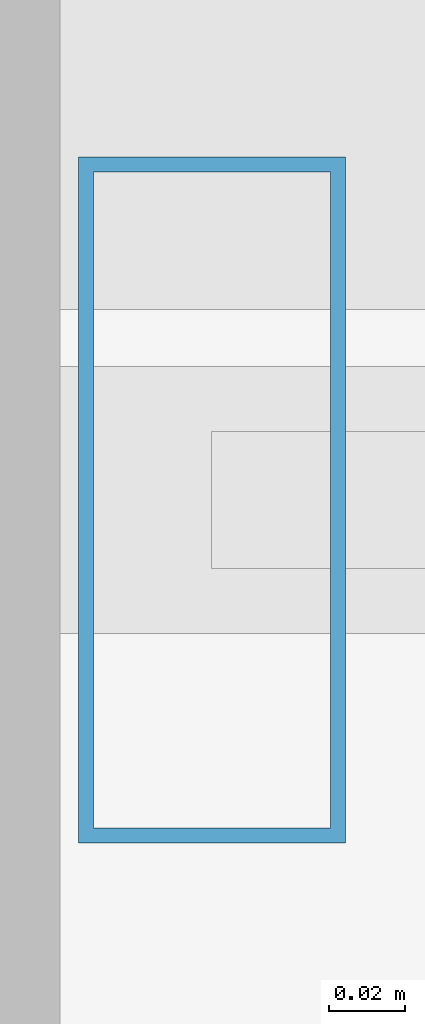
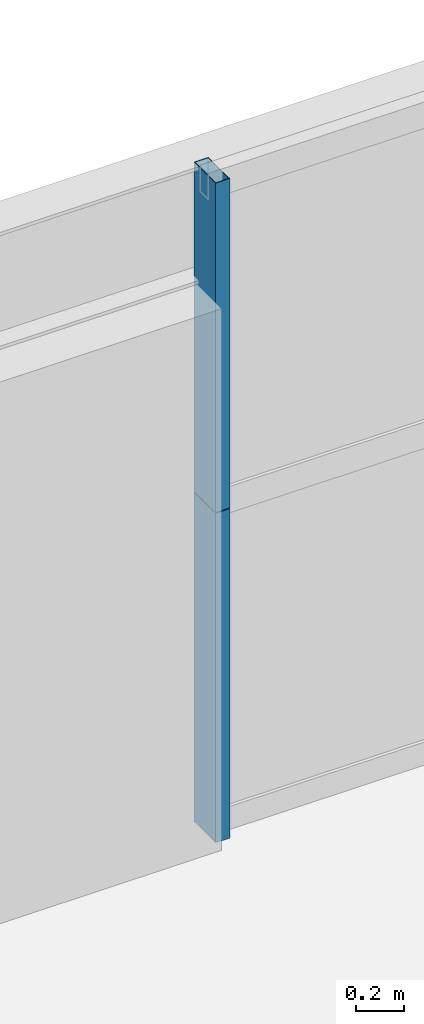
# One storey, part 27 of 43: 2 members, 1 element without a shape of its own.
"""IFC4 building model written with IfcOpenShell, lengths in metres."""

from ifc_helpers import new_model, si_unit, direction, frame, origin, origin_2d, place, context, subcontext, project, spatial, hollow_rectangle, extrude, source, transform, mapped, material, layer, layer_set, material_profile, profile_set, type_object, element, aggregate, save


model = new_model("IFC4")

# Units and contexts
model_context = context("Model", 3, precision=1e-05, world=origin(), true_north=direction((0.0, 1.0)))
body_context = subcontext(model_context, "Body", "Model", "MODEL_VIEW")
ifc_project = project(units=[si_unit("LENGTHUNIT", "METRE"), si_unit("AREAUNIT", "SQUARE_METRE"), si_unit("VOLUMEUNIT", "CUBIC_METRE"), si_unit("PLANEANGLEUNIT", "RADIAN"), si_unit("MASSUNIT", "GRAM", prefix="KILO"), si_unit("THERMODYNAMICTEMPERATUREUNIT", "KELVIN"), si_unit("POWERUNIT", "WATT")], contexts=[model_context])

# Site, building, storey
site_placement = place(None, origin())
site = spatial("IfcSite", under=ifc_project, at=site_placement, CompositionType="ELEMENT")
building_placement = place(site_placement, origin())
building = spatial("IfcBuilding", under=site, at=building_placement, Name="Yuzanri Waterfront Tower", CompositionType="ELEMENT")
storey_placement = place(building_placement, frame((0.0, 0.0, 108.199951171875)))
storey = spatial("IfcBuildingStorey", under=building, at=storey_placement, Name="L28", CompositionType="ELEMENT", Elevation=108.199951171875)

# Curtain wall, members
ifc_material_1 = material(Name="Anodized Architectural Bronze", Category="metal")
ifc_layer = layer(ifc_material_1, 0.159912109375)
ifc_layer_set = layer_set([ifc_layer], Name="Anodized Architectural Bronze")
curtain_wall_type = type_object("IfcCurtainWallType", Name="Anodized Bronze Hotel Upper-Tier Solar-Control Unitized Curtain Wall 7800", PredefinedType="NOTDEFINED", material=ifc_layer_set)
curtain_wall_placement = place(storey_placement, origin())
curtain_wall = element("IfcCurtainWall", 1, at=curtain_wall_placement, inside=storey, type_object=curtain_wall_type, Name="L28 Curtain Wall CW-L28-NL", PredefinedType="NOTDEFINED")
ifc_material_2 = material(Name="Anodized Architectural Bronze", Category="metal")
ifc_material_profile = material_profile(ifc_material_2, hollow_rectangle(XDim=0.070068359375, YDim=0.179931640625, WallThickness=0.00390625, at=origin_2d()), Name="CWM 70x180")
ifc_profile_set = profile_set([ifc_material_profile], Name="Anodized Architectural Bronze")
member_type = type_object("IfcMemberType", Name="Anodized Bronze Standard Curtain-Wall Mullion 70x180", PredefinedType="MULLION", material=ifc_profile_set)
shared_shape = source(origin(), body_context, "Body", "SweptSolid", [
    extrude(hollow_rectangle(XDim=0.070068359375, YDim=0.179931640625, WallThickness=0.00390625, at=origin_2d()), origin(), (0.0, 0.0, 1.0), 1.68798828125),
])
member_1_placement = place(storey_placement, frame((20.7900390625, 49.25, 0.0), z_axis=(0.0, 0.0, 1.0), x_axis=(1.0, 0.0, 0.0)))
member_1 = element("IfcMember", 2, at=member_1_placement, type_object=member_type, Name="CW-L28-NL Lower Mullion 00", PredefinedType="MULLION", context=body_context, shape_type="MappedRepresentation", body=[
    mapped(shared_shape, transform((0.0, 0.0, 0.0), scale=1.0)),
])
member_2_placement = place(storey_placement, frame((20.7900390625, 49.25, 1.692138671875), z_axis=(0.0, 0.0, 1.0), x_axis=(1.0, 0.0, 0.0)))
member_2 = element("IfcMember", 3, at=member_2_placement, type_object=member_type, Name="CW-L28-NL Upper Mullion 00", PredefinedType="MULLION", context=body_context, shape_type="MappedRepresentation", body=[
    mapped(shared_shape, transform((0.0, 0.0, 0.0), scale=1.0)),
])
aggregate(curtain_wall, [member_1, member_2])

save(model, "model.ifc")
